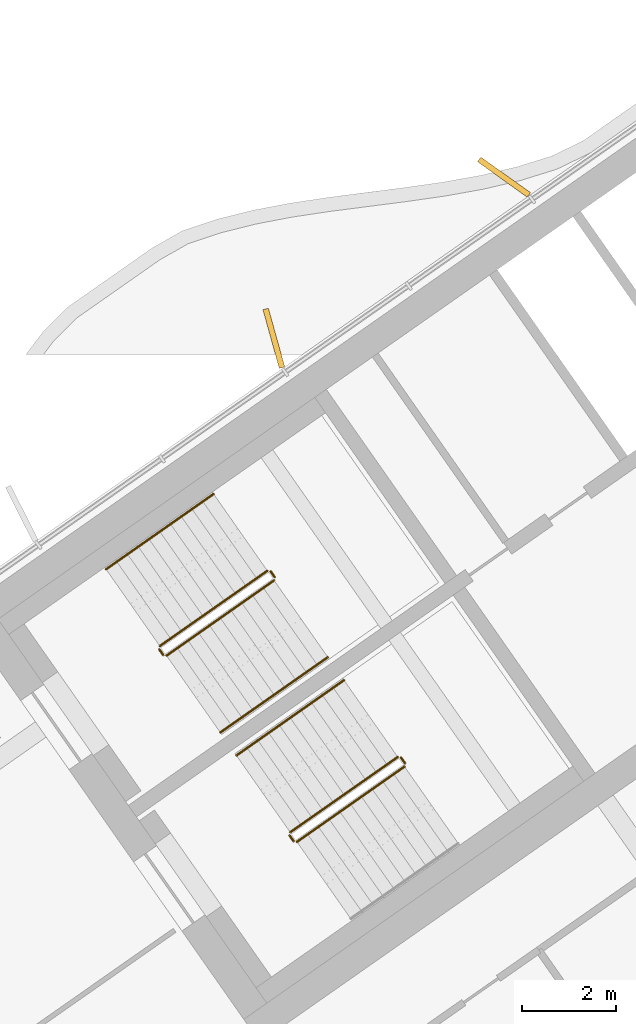
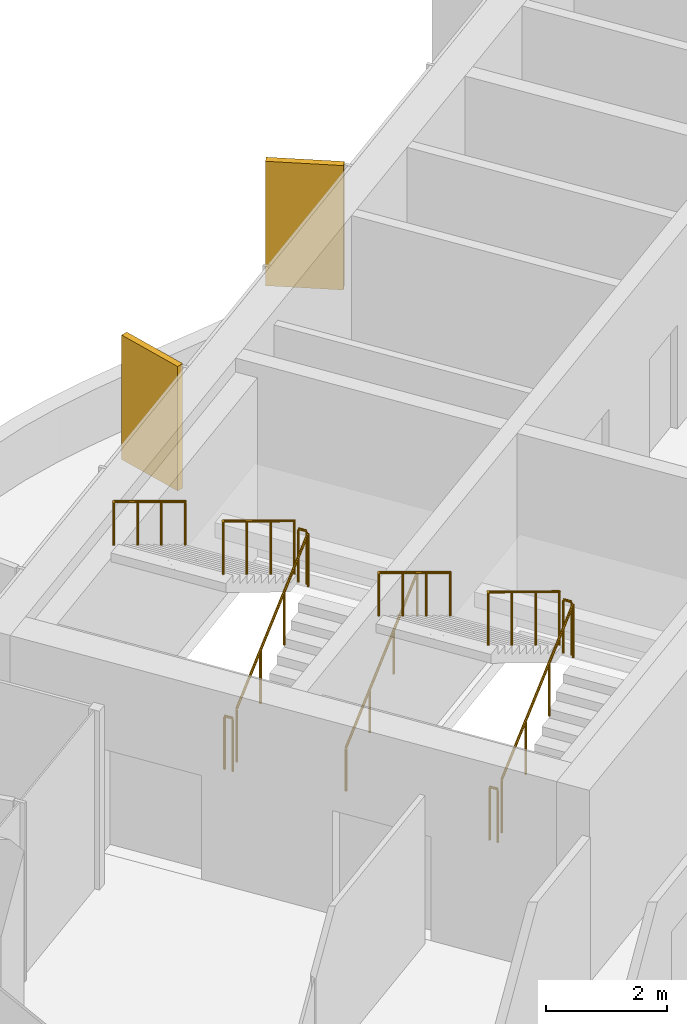
# One storey, part 17 of 21: 11 railings, 2 shading devices.
"""IFC4 building model written with IfcOpenShell, lengths in metres."""

from ifc_helpers import new_model, si_unit, direction, frame, origin, origin_2d, place, context, subcontext, project, spatial, rectangle, circle, extrude, material, layer, layer_set, type_object, element, save


model = new_model("IFC4")

# Units and contexts
model_context = context("Model", 3, precision=1e-05, world=origin(), true_north=direction((0.0, 1.0)))
body_context = subcontext(model_context, "Body", "Model", "MODEL_VIEW")
ifc_project = project(units=[si_unit("LENGTHUNIT", "METRE"), si_unit("AREAUNIT", "SQUARE_METRE"), si_unit("VOLUMEUNIT", "CUBIC_METRE"), si_unit("PLANEANGLEUNIT", "RADIAN"), si_unit("MASSUNIT", "GRAM", prefix="KILO")], contexts=[model_context])

# Site, building, storey
site_placement = place(None, origin())
site = spatial("IfcSite", under=ifc_project, at=site_placement, CompositionType="ELEMENT")
building_placement = place(site_placement, origin())
building = spatial("IfcBuilding", under=site, at=building_placement, Name="Tel Ilan Convention Tower", CompositionType="ELEMENT")
storey_placement = place(building_placement, frame((0.0, 0.0, 225.39990234375)))
storey = spatial("IfcBuildingStorey", under=building, at=storey_placement, Name="L52", CompositionType="ELEMENT", Elevation=225.39990234375)

# Shading devices
ifc_material_1 = material(Name="Aluminium, bronze anodised", Category="aluminium")
ifc_layer = layer(ifc_material_1, 0.1201171875)
ifc_layer_set = layer_set([ifc_layer], Name="FIN BRONZE 1300x120")
shading_device_type = type_object("IfcShadingDeviceType", Name="FIN BRONZE 1300x120", PredefinedType="USERDEFINED", material=ifc_layer_set)
for number, where, z_axis, x_axis, name in (
    (1, (-16.335693359375, 2.15185546875, 1.10009765625), (0.0, 0.0, 1.0), (-0.813552070258, 0.581492071294, 0.0), "FIN"),
    (2, (-21.246337890625, -1.286865234375, 1.10009765625), (0.0, 0.0, 1.0), (-0.268172612768, 0.963370878614, 0.0), "FIN"),
):
    element("IfcShadingDevice", number, at=place(storey_placement, frame(where, z_axis=z_axis, x_axis=x_axis)), inside=storey, type_object=shading_device_type, Name=name, ObjectType="FIN", PredefinedType="USERDEFINED", context=body_context, shape_type="SweptSolid", body=[
        extrude(rectangle(XDim=1.300048828125, YDim=0.1201171875, at=origin_2d()), origin(), (0.0, 0.0, 1.0), 2.52001953125),
    ])

# Railings
ifc_material_2 = material(Name="Stainless Steel Grade 316", Category="steel")
railing_type_1 = type_object("IfcRailingType", Name="Stainless Steel Stair Guard 1100 mm", PredefinedType="GUARDRAIL", material=ifc_material_2)
railing_1_placement = place(storey_placement, frame((-23.535400390625, -8.056396484375, 0.177490234375)))
element("IfcRailing", 3, at=railing_1_placement, inside=storey, type_object=railing_type_1, Name="L52 S1 stair guard 1", PredefinedType="GUARDRAIL", context=body_context, shape_type="SweptSolid", body=[
    extrude(circle(Radius=0.02392578125, at=origin_2d()), frame((0.0, 0.0, 1.076171875), z_axis=(0.692098378994, 0.484653031975, 0.534893701956), x_axis=(-0.573608623498, 0.819129505664, 0.0)), (0.0, 0.0, 1.0), 3.314208984375),
    extrude(circle(Radius=0.02099609375, at=origin_2d()), origin(), (0.0, 0.0, 1.0), 1.052001953125),
    extrude(circle(Radius=0.02099609375, at=origin_2d()), frame((0.7646484375, 0.535400390625, 0.5908203125)), (0.0, 0.0, 1.0), 1.052001953125),
    extrude(circle(Radius=0.02099609375, at=origin_2d()), frame((1.529052734375, 1.07080078125, 1.181884765625)), (0.0, 0.0, 1.0), 1.052001953125),
    extrude(circle(Radius=0.02099609375, at=origin_2d()), frame((2.293701171875, 1.606201171875, 1.772705078125)), (0.0, 0.0, 1.0), 1.052001953125),
])
railing_2_placement = place(storey_placement, frame((-21.2294921875, -6.380615234375, 1.9501953125)))
element("IfcRailing", 4, at=railing_2_placement, inside=storey, type_object=railing_type_1, Name="L52 S1 stair guard 2", PredefinedType="GUARDRAIL", context=body_context, shape_type="SweptSolid", body=[
    extrude(circle(Radius=0.02392578125, at=origin_2d()), frame((0.0, 0.0, 1.076171875), z_axis=(-0.573353020881, 0.819308436089, 0.0), x_axis=(-0.819308436089, -0.573353020881, 0.0)), (0.0, 0.0, 1.0), 0.14990234375),
    extrude(circle(Radius=0.02099609375, at=origin_2d()), origin(), (0.0, 0.0, 1.0), 1.052001953125),
    extrude(circle(Radius=0.02099609375, at=origin_2d()), frame((-0.0859375, 0.122802734375, 0.0)), (0.0, 0.0, 1.0), 1.052001953125),
])
railing_3_placement = place(storey_placement, frame((-21.38525390625, -6.24560546875, 2.12744140625)))
element("IfcRailing", 5, at=railing_3_placement, inside=storey, type_object=railing_type_1, Name="L52 S1 stair guard 3", PredefinedType="GUARDRAIL", context=body_context, shape_type="SweptSolid", body=[
    extrude(circle(Radius=0.02392578125, at=origin_2d()), frame((0.0, 0.0, 1.076171875), z_axis=(-0.692084706163, -0.484621375041, 0.534940073605), x_axis=(0.573591086599, -0.819141785879, 0.0)), (0.0, 0.0, 1.0), 3.313720703125),
    extrude(circle(Radius=0.02099609375, at=origin_2d()), origin(), (0.0, 0.0, 1.0), 1.052001953125),
    extrude(circle(Radius=0.02099609375, at=origin_2d()), frame((-0.764404296875, -0.535400390625, 0.5908203125)), (0.0, 0.0, 1.0), 1.052001953125),
    extrude(circle(Radius=0.02099609375, at=origin_2d()), frame((-1.529052734375, -1.070556640625, 1.181884765625)), (0.0, 0.0, 1.0), 1.052001953125),
    extrude(circle(Radius=0.02099609375, at=origin_2d()), frame((-2.29345703125, -1.60595703125, 1.772705078125)), (0.0, 0.0, 1.0), 1.052001953125),
])
railing_4_placement = place(storey_placement, frame((-23.60498046875, -8.0439453125, 0.0)))
element("IfcRailing", 6, at=railing_4_placement, inside=storey, type_object=railing_type_1, Name="L52 S1 stair guard 4", PredefinedType="GUARDRAIL", context=body_context, shape_type="SweptSolid", body=[
    extrude(circle(Radius=0.02392578125, at=origin_2d()), frame((0.0, 0.0, 1.076171875), z_axis=(-0.574444878118, 0.818543268254, 0.0), x_axis=(-0.818543268254, -0.574444878118, 0.0)), (0.0, 0.0, 1.0), 0.150146484375),
    extrude(circle(Radius=0.02099609375, at=origin_2d()), origin(), (0.0, 0.0, 1.0), 1.052001953125),
    extrude(circle(Radius=0.02099609375, at=origin_2d()), frame((-0.086181640625, 0.122802734375, 0.0)), (0.0, 0.0, 1.0), 1.052001953125),
])
railing_5_placement = place(storey_placement, frame((-20.753662109375, -12.029296875, 0.177490234375)))
element("IfcRailing", 7, at=railing_5_placement, inside=storey, type_object=railing_type_1, Name="L52 S2 stair guard 1", PredefinedType="GUARDRAIL", context=body_context, shape_type="SweptSolid", body=[
    extrude(circle(Radius=0.02392578125, at=origin_2d()), frame((0.0, 0.0, 1.076171875), z_axis=(0.692098378994, 0.484653031975, 0.534893701956), x_axis=(-0.573608623498, 0.819129505664, 0.0)), (0.0, 0.0, 1.0), 3.314208984375),
    extrude(circle(Radius=0.02099609375, at=origin_2d()), origin(), (0.0, 0.0, 1.0), 1.052001953125),
    extrude(circle(Radius=0.02099609375, at=origin_2d()), frame((0.7646484375, 0.535400390625, 0.5908203125)), (0.0, 0.0, 1.0), 1.052001953125),
    extrude(circle(Radius=0.02099609375, at=origin_2d()), frame((1.529052734375, 1.07080078125, 1.181884765625)), (0.0, 0.0, 1.0), 1.052001953125),
    extrude(circle(Radius=0.02099609375, at=origin_2d()), frame((2.293701171875, 1.606201171875, 1.772705078125)), (0.0, 0.0, 1.0), 1.052001953125),
])
railing_6_placement = place(storey_placement, frame((-18.44775390625, -10.353515625, 1.9501953125)))
element("IfcRailing", 8, at=railing_6_placement, inside=storey, type_object=railing_type_1, Name="L52 S2 stair guard 2", PredefinedType="GUARDRAIL", context=body_context, shape_type="SweptSolid", body=[
    extrude(circle(Radius=0.02392578125, at=origin_2d()), frame((0.0, 0.0, 1.076171875), z_axis=(-0.573353020881, 0.819308436089, 0.0), x_axis=(-0.819308436089, -0.573353020881, 0.0)), (0.0, 0.0, 1.0), 0.14990234375),
    extrude(circle(Radius=0.02099609375, at=origin_2d()), origin(), (0.0, 0.0, 1.0), 1.052001953125),
    extrude(circle(Radius=0.02099609375, at=origin_2d()), frame((-0.0859375, 0.122802734375, 0.0)), (0.0, 0.0, 1.0), 1.052001953125),
])
railing_7_placement = place(storey_placement, frame((-18.603271484375, -10.218505859375, 2.12744140625)))
element("IfcRailing", 9, at=railing_7_placement, inside=storey, type_object=railing_type_1, Name="L52 S2 stair guard 3", PredefinedType="GUARDRAIL", context=body_context, shape_type="SweptSolid", body=[
    extrude(circle(Radius=0.02392578125, at=origin_2d()), frame((0.0, 0.0, 1.076171875), z_axis=(-0.692123088272, -0.484596665743, 0.534912798717), x_axis=(0.573550118428, -0.819170471667, 0.0)), (0.0, 0.0, 1.0), 3.31396484375),
    extrude(circle(Radius=0.02099609375, at=origin_2d()), origin(), (0.0, 0.0, 1.0), 1.052001953125),
    extrude(circle(Radius=0.02099609375, at=origin_2d()), frame((-0.7646484375, -0.535400390625, 0.5908203125)), (0.0, 0.0, 1.0), 1.052001953125),
    extrude(circle(Radius=0.02099609375, at=origin_2d()), frame((-1.529052734375, -1.070556640625, 1.181884765625)), (0.0, 0.0, 1.0), 1.052001953125),
    extrude(circle(Radius=0.02099609375, at=origin_2d()), frame((-2.293701171875, -1.60595703125, 1.772705078125)), (0.0, 0.0, 1.0), 1.052001953125),
])
railing_8_placement = place(storey_placement, frame((-20.8232421875, -12.016845703125, 0.0)))
element("IfcRailing", 10, at=railing_8_placement, inside=storey, type_object=railing_type_1, Name="L52 S2 stair guard 4", PredefinedType="GUARDRAIL", context=body_context, shape_type="SweptSolid", body=[
    extrude(circle(Radius=0.02392578125, at=origin_2d()), frame((0.0, 0.0, 1.076171875), z_axis=(-0.573353020881, 0.819308436089, 0.0), x_axis=(-0.819308436089, -0.573353020881, 0.0)), (0.0, 0.0, 1.0), 0.14990234375),
    extrude(circle(Radius=0.02099609375, at=origin_2d()), origin(), (0.0, 0.0, 1.0), 1.052001953125),
    extrude(circle(Radius=0.02099609375, at=origin_2d()), frame((-0.0859375, 0.122802734375, 0.0)), (0.0, 0.0, 1.0), 1.052001953125),
])
ifc_material_3 = material(Name="Stainless Steel Grade 316", Category="steel")
railing_type_2 = type_object("IfcRailingType", Name="Stainless Steel Stair Handrail 900 mm", PredefinedType="HANDRAIL", material=ifc_material_3)
railing_9_placement = place(storey_placement, frame((-22.38818359375, -9.694580078125, 0.177490234375)))
element("IfcRailing", 11, at=railing_9_placement, inside=storey, type_object=railing_type_2, Name="L52 S1 stair handrail 1", PredefinedType="HANDRAIL", context=body_context, shape_type="SweptSolid", body=[
    extrude(circle(Radius=0.02392578125, at=origin_2d()), frame((0.0, 0.0, 0.8759765625), z_axis=(0.692084706163, 0.484621375041, 0.534940073605), x_axis=(-0.573591086599, 0.819141785879, 0.0)), (0.0, 0.0, 1.0), 3.313720703125),
    extrude(circle(Radius=0.02099609375, at=origin_2d()), origin(), (0.0, 0.0, 1.0), 0.851806640625),
    extrude(circle(Radius=0.02099609375, at=origin_2d()), frame((0.764404296875, 0.535400390625, 0.5908203125)), (0.0, 0.0, 1.0), 0.851806640625),
    extrude(circle(Radius=0.02099609375, at=origin_2d()), frame((1.529052734375, 1.070556640625, 1.181884765625)), (0.0, 0.0, 1.0), 0.851806640625),
    extrude(circle(Radius=0.02099609375, at=origin_2d()), frame((2.29345703125, 1.60595703125, 1.772705078125)), (0.0, 0.0, 1.0), 0.851806640625),
])
for number, where, name in (
    (12, (-22.5322265625, -4.607177734375, 2.12744140625), "L52 S1 stair handrail 2"),
    (13, (-19.75048828125, -8.580078125, 2.12744140625), "L52 S2 stair handrail 2"),
):
    element("IfcRailing", number, at=place(storey_placement, frame(where)), inside=storey, type_object=railing_type_2, Name=name, PredefinedType="HANDRAIL", context=body_context, shape_type="SweptSolid", body=[
        extrude(circle(Radius=0.02392578125, at=origin_2d()), frame((0.0, 0.0, 0.8759765625), z_axis=(-0.692123088272, -0.484596665743, 0.534912798717), x_axis=(0.573550118428, -0.819170471667, 0.0)), (0.0, 0.0, 1.0), 3.31396484375),
        extrude(circle(Radius=0.02099609375, at=origin_2d()), origin(), (0.0, 0.0, 1.0), 0.851806640625),
        extrude(circle(Radius=0.02099609375, at=origin_2d()), frame((-0.7646484375, -0.535400390625, 0.5908203125)), (0.0, 0.0, 1.0), 0.851806640625),
        extrude(circle(Radius=0.02099609375, at=origin_2d()), frame((-1.529052734375, -1.070556640625, 1.181884765625)), (0.0, 0.0, 1.0), 0.851806640625),
        extrude(circle(Radius=0.02099609375, at=origin_2d()), frame((-2.293701171875, -1.60595703125, 1.772705078125)), (0.0, 0.0, 1.0), 0.851806640625),
    ])

save(model, "model.ifc")
